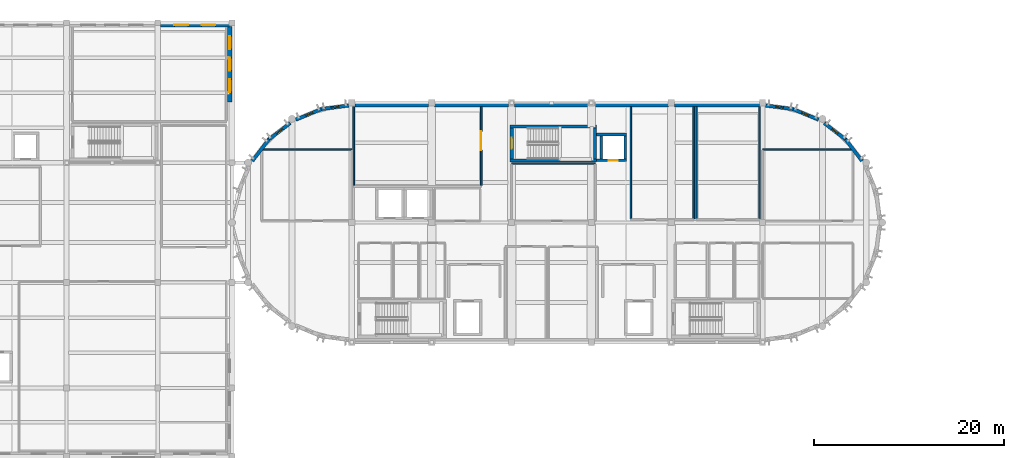
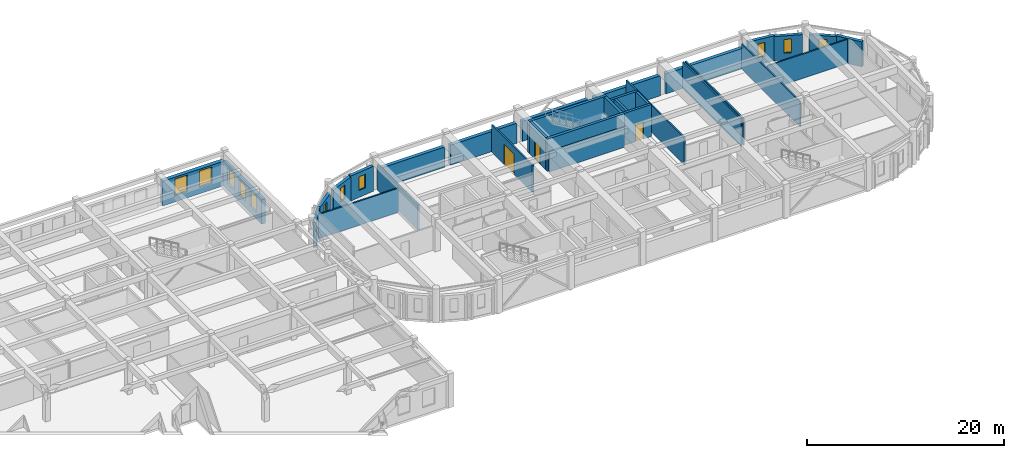
# One storey, part 18 of 31: 32 walls, 11 windows, 3 doors, 14 openings.
"""IFC4 building model written with IfcOpenShell, lengths in metres."""

from ifc_helpers import new_model, si_unit, direction, frame, frame_2d, origin, place, context, subcontext, project, spatial, rectangle, extrude, material, layer, layer_set, type_object, element, fill, save


model = new_model("IFC4")

# Units and contexts
model_context = context("Model", 3, precision=1e-05, world=origin(), true_north=direction((0.0, 1.0)))
body_context = subcontext(model_context, "Body", "Model", "MODEL_VIEW")
ifc_project = project(units=[si_unit("LENGTHUNIT", "METRE"), si_unit("AREAUNIT", "SQUARE_METRE"), si_unit("VOLUMEUNIT", "CUBIC_METRE"), si_unit("PLANEANGLEUNIT", "RADIAN"), si_unit("MASSUNIT", "GRAM", prefix="KILO")], contexts=[model_context])

# Site, building, storey
site_placement = place(None, origin())
site = spatial("IfcSite", under=ifc_project, at=site_placement, CompositionType="ELEMENT")
building_placement = place(site_placement, origin())
building = spatial("IfcBuilding", under=site, at=building_placement, Name="Tarnavel Promenade Courthouse", CompositionType="ELEMENT")
storey_placement = place(building_placement, frame((0.0, 0.0, 18.60009765625)))
storey = spatial("IfcBuildingStorey", under=building, at=storey_placement, Name="L05", CompositionType="ELEMENT", Elevation=18.60009765625)

# Walls
ifc_material_1 = material(Name="Acoustic Insulated Gypsum Stud Partition", Category="gypsum")
ifc_layer_1 = layer(ifc_material_1, 0.1650390625)
ifc_layer_set_1 = layer_set([ifc_layer_1], Name="Acoustic Insulated Gypsum Stud Partition")
wall_type_1 = type_object("IfcWallType", Name="Acoustic Insulated Gypsum Stud Partition WL-CHM-165 (165 mm)", PredefinedType="PARTITIONING", material=ifc_layer_set_1)
wall_1_placement = place(storey_placement, frame((75.60009765625, 98.0, 0.0), z_axis=(0.0, 0.0, 1.0), x_axis=(1.0, 0.0, 0.0)))
element("IfcWall", 1, at=wall_1_placement, inside=storey, type_object=wall_type_1, Name="L05 L05 Judicial Panel Deliberation Salon Partition 0723", PredefinedType="PARTITIONING", context=body_context, shape_type="SweptSolid", body=[
    extrude(rectangle(XDim=8.7998046875, YDim=0.1650390625, at=frame_2d((4.39990234375, 0.0))), origin(), (0.0, 0.0, 1.0), 2.489990234375),
])
wall_2_placement = place(storey_placement, frame((88.139892578125, 92.1826171875, 0.0), z_axis=(0.0, 0.0, 1.0), x_axis=(0.0, 1.0, 0.0)))
element("IfcWall", 2, at=wall_2_placement, inside=storey, type_object=wall_type_1, Name="L05 Judges' Chambers L05 West Partition 0728", PredefinedType="PARTITIONING", context=body_context, shape_type="SweptSolid", body=[
    extrude(rectangle(XDim=11.79833984375, YDim=0.1650390625, at=frame_2d((5.899169921875, 0.0))), origin(), (0.0, 0.0, 1.0), 3.33984375),
])
for number, where, z_axis, x_axis, name in (
    (3, (94.760009765625, 103.98095703125, 0.0), (0.0, 0.0, 1.0), (0.0, -1.0, 0.0), "L05 Judges' Chambers L05 West Partition 0729"),
    (4, (95.0400390625, 92.1826171875, 0.0), (0.0, 0.0, 1.0), (0.0, 1.0, 0.0), "L05 Judges' Chambers L05 East Partition 0731"),
):
    element("IfcWall", number, at=place(storey_placement, frame(where, z_axis=z_axis, x_axis=x_axis)), inside=storey, type_object=wall_type_1, Name=name, PredefinedType="PARTITIONING", context=body_context, shape_type="SweptSolid", body=[
        extrude(rectangle(XDim=11.79833984375, YDim=0.1650390625, at=frame_2d((5.899169921875, 0.0))), origin(), (0.0, 0.0, 1.0), 3.289794921875),
    ])
wall_3_placement = place(storey_placement, frame((101.659912109375, 103.98095703125, 0.0), z_axis=(0.0, 0.0, 1.0), x_axis=(0.0, -1.0, 0.0)))
element("IfcWall", 5, at=wall_3_placement, inside=storey, type_object=wall_type_1, Name="L05 Judges' Chambers L05 East Partition 0732", PredefinedType="PARTITIONING", context=body_context, shape_type="SweptSolid", body=[
    extrude(rectangle(XDim=11.79833984375, YDim=0.1650390625, at=frame_2d((5.899169921875, 0.0))), origin(), (0.0, 0.0, 1.0), 3.08984375),
])
for number, where, z_axis, x_axis, name in (
    (6, (49.300048828125, 99.5, 0.0), (0.0, 0.0, 1.0), (1.0, 0.0, 0.0), "L05 L05 West Drum Rotunda Chambers North Partition 0739"),
    (7, (102.0, 99.5, 0.0), (0.0, 0.0, 1.0), (1.0, 0.0, 0.0), "L05 L05 East Drum Rotunda Jury North Partition 0743"),
):
    element("IfcWall", number, at=place(storey_placement, frame(where, z_axis=z_axis, x_axis=x_axis)), inside=storey, type_object=wall_type_1, Name=name, PredefinedType="PARTITIONING", context=body_context, shape_type="SweptSolid", body=[
        extrude(rectangle(XDim=9.5, YDim=0.1650390625, at=frame_2d((4.75, 0.0))), origin(), (0.0, 0.0, 1.0), 2.989990234375),
    ])
ifc_material_2 = material(Name="Concrete C40/50", Category="concrete")
ifc_layer_2 = layer(ifc_material_2, 0.280029296875)
ifc_layer_set_2 = layer_set([ifc_layer_2], Name="Concrete C40/50")
wall_type_2 = type_object("IfcWallType", Name="Concrete C40/50 WL-SHR-280 (280 mm)", PredefinedType="SHEAR", material=ifc_layer_set_2)
wall_4_placement = place(storey_placement, frame((84.5400390625, 101.06005859375, 0.0), z_axis=(0.0, 0.0, 1.0), x_axis=(1.0, 0.0, 0.0)))
element("IfcWall", 8, at=wall_4_placement, inside=storey, type_object=wall_type_2, Name="L05 L-JUD1 Lift Shaft North Wall", PredefinedType="SHEAR", context=body_context, shape_type="SweptSolid", body=[
    extrude(rectangle(XDim=3.159912109375, YDim=0.280029296875, at=frame_2d((1.580078125, 0.0))), origin(), (0.0, 0.0, 1.0), 3.9599609375),
])

# Wall, opening, door
wall_5_placement = place(storey_placement, frame((87.699951171875, 98.340087890625, 0.0), z_axis=(0.0, 0.0, 1.0), x_axis=(-1.0, 0.0, 0.0)))
wall_5 = element("IfcWall", 9, at=wall_5_placement, inside=storey, type_object=wall_type_2, Name="L05 L-JUD1 Lift Shaft South Wall", PredefinedType="SHEAR", context=body_context, shape_type="SweptSolid", body=[
    extrude(rectangle(XDim=3.159912109375, YDim=0.280029296875, at=frame_2d((1.580078125, 0.0))), origin(), (0.0, 0.0, 1.0), 3.9599609375),
])
opening_1_placement = place(wall_5_placement, frame((0.925048828125, 0.0, 0.0)))
opening_1 = element("IfcOpeningElement", 10, at=opening_1_placement, cuts=wall_5, Name="Opening LD-03", PredefinedType="OPENING", context=body_context, shape_type="SweptSolid", body=[
    extrude(rectangle(XDim=0.949951171875, YDim=2.14990234375, at=frame_2d((0.47509765625, 1.074951171875))), frame((0.0, 0.14990234375, 0.0), z_axis=(0.0, -1.0, 0.0), x_axis=(1.0, 0.0, 0.0)), (0.0, 0.0, 1.0), 0.300048828125),
])
ifc_material_3 = material(Name="Stainless Steel Judicial Lift Landing Sliding Door", Category="steel")
door_type_1 = type_object("IfcDoorType", Name="Stainless Steel Judicial Lift Landing Sliding Door (LD-JUD-0950x2150)", OperationType="NOTDEFINED", PredefinedType="DOOR", material=ifc_material_3)
door_1_placement = place(opening_1_placement, origin())
door_1 = element("IfcDoor", 11, at=door_1_placement, inside=storey, type_object=door_type_1, Name="L05 L-JUD1 Lift Sliding Landing Door", OperationType="DOUBLE_DOOR_SLIDING", OverallHeight=2.14990234375, OverallWidth=0.949951171875, PredefinedType="DOOR", context=body_context, shape_type="SweptSolid", body=[
    extrude(rectangle(XDim=0.949951171875, YDim=2.14990234375, at=frame_2d((0.47509765625, 1.074951171875))), frame((0.0, 0.02490234375, 0.0), z_axis=(0.0, -1.0, 0.0), x_axis=(1.0, 0.0, 0.0)), (0.0, 0.0, 1.0), 0.050048828125),
])
fill(opening_1, door_1)

# Walls
for number, where, z_axis, x_axis, name in (
    (12, (85.0400390625, 98.47998046875, 0.0), (0.0, 0.0, 1.0), (0.0, 1.0, 0.0), "L05 L-JUD1 Lift Shaft West Wall"),
    (13, (87.56005859375, 100.919921875, 0.0), (0.0, 0.0, 1.0), (0.0, -1.0, 0.0), "L05 L-JUD1 Lift Shaft East Wall"),
):
    element("IfcWall", number, at=place(storey_placement, frame(where, z_axis=z_axis, x_axis=x_axis)), inside=storey, type_object=wall_type_2, Name=name, PredefinedType="SHEAR", context=body_context, shape_type="SweptSolid", body=[
        extrude(rectangle(XDim=2.43994140625, YDim=0.280029296875, at=frame_2d((1.219970703125, 0.0))), origin(), (0.0, 0.0, 1.0), 3.9599609375),
    ])
ifc_layer_3 = layer(ifc_material_2, 0.320068359375)
ifc_layer_set_3 = layer_set([ifc_layer_3], Name="Concrete C40/50")
wall_type_3 = type_object("IfcWallType", Name="Concrete C40/50 WL-SHR-320 (320 mm)", PredefinedType="SHEAR", material=ifc_layer_set_3)
for number, where, z_axis, x_axis, name in (
    (14, (75.4599609375, 101.919921875, 0.0), (0.0, 0.0, 1.0), (1.0, 0.0, 0.0), "L05 ST-03 Shear Core North Wall"),
    (15, (84.5400390625, 98.320068359375, 0.0), (0.0, 0.0, 1.0), (-1.0, 0.0, 0.0), "L05 ST-03 Shear Core South Wall"),
):
    element("IfcWall", number, at=place(storey_placement, frame(where, z_axis=z_axis, x_axis=x_axis)), inside=storey, type_object=wall_type_3, Name=name, PredefinedType="SHEAR", context=body_context, shape_type="SweptSolid", body=[
        extrude(rectangle(XDim=9.080078125, YDim=0.320068359375, at=frame_2d((4.5400390625, 0.0))), origin(), (0.0, 0.0, 1.0), 3.9599609375),
    ])

# Wall, opening, door
wall_6_placement = place(storey_placement, frame((75.6201171875, 98.47998046875, 0.0), z_axis=(0.0, 0.0, 1.0), x_axis=(0.0, 1.0, 0.0)))
wall_6 = element("IfcWall", 16, at=wall_6_placement, inside=storey, type_object=wall_type_3, Name="L05 ST-03 Shear Core West Landing Wall", PredefinedType="SHEAR", context=body_context, shape_type="SweptSolid", body=[
    extrude(rectangle(XDim=3.280029296875, YDim=0.320068359375, at=frame_2d((1.64013671875, 0.0))), origin(), (0.0, 0.0, 1.0), 3.9599609375),
])
opening_2_placement = place(wall_6_placement, frame((1.06494140625, 0.0, 0.0)))
opening_2 = element("IfcOpeningElement", 17, at=opening_2_placement, cuts=wall_6, Name="Opening FD-01", PredefinedType="OPENING", context=body_context, shape_type="SweptSolid", body=[
    extrude(rectangle(XDim=1.14990234375, YDim=2.199951171875, at=frame_2d((0.574951171875, 1.10009765625))), frame((0.0, 0.169921875, 0.0), z_axis=(0.0, -1.0, 0.0), x_axis=(1.0, 0.0, 0.0)), (0.0, 0.0, 1.0), 0.340087890625),
])
ifc_material_4 = material(Name="Steel Fire-Rated Stair Core Door", Category="steel")
door_type_2 = type_object("IfcDoorType", Name="Steel Fire-Rated Stair Core Door (DR-ST-1150x2200)", OperationType="NOTDEFINED", PredefinedType="DOOR", material=ifc_material_4)
door_2_placement = place(opening_2_placement, origin())
door_2 = element("IfcDoor", 18, at=door_2_placement, inside=storey, type_object=door_type_2, Name="L05 ST-03 Protected Exit Stair Door", OperationType="SINGLE_SWING_LEFT", OverallHeight=2.199951171875, OverallWidth=1.14990234375, PredefinedType="DOOR", context=body_context, shape_type="SweptSolid", body=[
    extrude(rectangle(XDim=1.14990234375, YDim=2.199951171875, at=frame_2d((0.574951171875, 1.10009765625))), frame((0.0, 0.02490234375, 0.0), z_axis=(0.0, -1.0, 0.0), x_axis=(1.0, 0.0, 0.0)), (0.0, 0.0, 1.0), 0.050048828125),
])
fill(opening_2, door_2)

# Walls
wall_7_placement = place(storey_placement, frame((84.3798828125, 101.760009765625, 0.0), z_axis=(0.0, 0.0, 1.0), x_axis=(0.0, -1.0, 0.0)))
element("IfcWall", 19, at=wall_7_placement, inside=storey, type_object=wall_type_3, Name="L05 ST-03 Shear Core East Wall", PredefinedType="SHEAR", context=body_context, shape_type="SweptSolid", body=[
    extrude(rectangle(XDim=3.280029296875, YDim=0.320068359375, at=frame_2d((1.64013671875, 0.0))), origin(), (0.0, 0.0, 1.0), 3.9599609375),
])
ifc_material_5 = material(Name="Cream Brick Insulated Cavity Facade Assembly", Category="masonry")
ifc_layer_4 = layer(ifc_material_5, 0.409912109375)
ifc_layer_set_4 = layer_set([ifc_layer_4], Name="Cream Brick Insulated Cavity Facade Assembly")
wall_type_4 = type_object("IfcWallType", Name="Cream Brick Insulated Cavity Facade Assembly WL-EXT-410 (410 mm)", PredefinedType="STANDARD", material=ifc_layer_set_4)
wall_8_placement = place(storey_placement, frame((59.116943359375, 104.179931640625, 0.0), z_axis=(0.0, 0.0, 1.0), x_axis=(1.0, 0.0, 0.0)))
element("IfcWall", 20, at=wall_8_placement, inside=storey, type_object=wall_type_4, Name="L05 Bar North Limestone Facade 0106", PredefinedType="STANDARD", context=body_context, shape_type="SweptSolid", body=[
    extrude(rectangle(XDim=7.76611328125, YDim=0.409912109375, at=frame_2d((3.883056640625, 0.0))), origin(), (0.0, 0.0, 1.0), 2.489990234375),
])
wall_9_placement = place(storey_placement, frame((67.51708984375, 104.179931640625, 0.0), z_axis=(0.0, 0.0, 1.0), x_axis=(1.0, 0.0, 0.0)))
element("IfcWall", 21, at=wall_9_placement, inside=storey, type_object=wall_type_4, Name="L05 Bar North Limestone Facade 0107", PredefinedType="STANDARD", context=body_context, shape_type="SweptSolid", body=[
    extrude(rectangle(XDim=7.765869140625, YDim=0.409912109375, at=frame_2d((3.8828125, 0.0))), origin(), (0.0, 0.0, 1.0), 2.489990234375),
])
for number, where, z_axis, x_axis, name in (
    (22, (75.9169921875, 104.179931640625, 0.0), (0.0, 0.0, 1.0), (1.0, 0.0, 0.0), "L05 Bar North Limestone Facade 0108"),
    (23, (84.31689453125, 104.179931640625, 0.0), (0.0, 0.0, 1.0), (1.0, 0.0, 0.0), "L05 Bar North Limestone Facade 0109"),
):
    element("IfcWall", number, at=place(storey_placement, frame(where, z_axis=z_axis, x_axis=x_axis)), inside=storey, type_object=wall_type_4, Name=name, PredefinedType="STANDARD", context=body_context, shape_type="SweptSolid", body=[
        extrude(rectangle(XDim=7.76611328125, YDim=0.409912109375, at=frame_2d((3.883056640625, 0.0))), origin(), (0.0, 0.0, 1.0), 2.489990234375),
    ])
wall_10_placement = place(storey_placement, frame((92.717041015625, 104.179931640625, 0.0), z_axis=(0.0, 0.0, 1.0), x_axis=(1.0, 0.0, 0.0)))
element("IfcWall", 24, at=wall_10_placement, inside=storey, type_object=wall_type_4, Name="L05 Bar North Limestone Facade 0110", PredefinedType="STANDARD", context=body_context, shape_type="SweptSolid", body=[
    extrude(rectangle(XDim=8.966064453125, YDim=0.409912109375, at=frame_2d((4.48291015625, 0.0))), origin(), (0.0, 0.0, 1.0), 2.489990234375),
])
ifc_material_6 = material(Name="Double-Stud Acoustic Courtroom Partition Assembly", Category="gypsum")
ifc_layer_5 = layer(ifc_material_6, 0.18505859375)
ifc_layer_set_5 = layer_set([ifc_layer_5], Name="Double-Stud Acoustic Courtroom Partition Assembly")
wall_type_5 = type_object("IfcWallType", Name="Double-Stud Acoustic Courtroom Partition Assembly WL-CRT-185 (185 mm)", PredefinedType="PARTITIONING", material=ifc_layer_set_5)
wall_11_placement = place(storey_placement, frame((59.0, 95.702392578125, 0.0), z_axis=(0.0, 0.0, 1.0), x_axis=(0.0, 1.0, 0.0)))
element("IfcWall", 25, at=wall_11_placement, inside=storey, type_object=wall_type_5, Name="L05 Appellate Panel Courtroom C Partition 0717", PredefinedType="PARTITIONING", context=body_context, shape_type="SweptSolid", body=[
    extrude(rectangle(XDim=8.278564453125, YDim=0.18505859375, at=frame_2d((4.13916015625, 0.0))), origin(), (0.0, 0.0, 1.0), 3.08984375),
])

# Wall, opening, door
wall_12_placement = place(storey_placement, frame((72.39990234375, 103.98095703125, 0.0), z_axis=(0.0, 0.0, 1.0), x_axis=(0.0, -1.0, 0.0)))
wall_12 = element("IfcWall", 26, at=wall_12_placement, inside=storey, type_object=wall_type_5, Name="L05 Appellate Panel Courtroom C Partition 0718", PredefinedType="PARTITIONING", context=body_context, shape_type="SweptSolid", body=[
    extrude(rectangle(XDim=8.278564453125, YDim=0.18505859375, at=frame_2d((4.13916015625, 0.0))), origin(), (0.0, 0.0, 1.0), 3.33984375),
])
opening_3_placement = place(wall_12_placement, frame((2.581298828125, 0.0, 0.0)))
opening_3 = element("IfcOpeningElement", 27, at=opening_3_placement, cuts=wall_12, Name="Opening ID-01", PredefinedType="OPENING", context=body_context, shape_type="SweptSolid", body=[
    extrude(rectangle(XDim=2.0, YDim=2.5, at=frame_2d((1.0, 1.25))), frame((0.0, 0.1025390625, 0.0), z_axis=(0.0, -1.0, 0.0), x_axis=(1.0, 0.0, 0.0)), (0.0, 0.0, 1.0), 0.205078125),
])
ifc_material_7 = material(Name="Solid Oak Acoustic Courtroom Double Door")
door_type_3 = type_object("IfcDoorType", Name="Solid Oak Acoustic Courtroom Double Door (DR-CRT-2000x2500)", OperationType="NOTDEFINED", PredefinedType="DOOR", material=ifc_material_7)
door_3_placement = place(opening_3_placement, origin())
door_3 = element("IfcDoor", 28, at=door_3_placement, inside=storey, type_object=door_type_3, Name="L05 Appellate Panel Courtroom C Door 0205", OperationType="DOUBLE_DOOR_SINGLE_SWING", OverallHeight=2.5, OverallWidth=2.0, PredefinedType="DOOR", context=body_context, shape_type="SweptSolid", body=[
    extrude(rectangle(XDim=2.0, YDim=2.5, at=frame_2d((1.0, 1.25))), frame((0.0, 0.02490234375, 0.0), z_axis=(0.0, -1.0, 0.0), x_axis=(1.0, 0.0, 0.0)), (0.0, 0.0, 1.0), 0.050048828125),
])
fill(opening_3, door_3)

# Wall, openings, windows
ifc_material_8 = material(Name="Limestone Ashlar Faced Insulated Brick Masonry", Category="masonry")
ifc_layer_6 = layer(ifc_material_8, 0.43994140625)
ifc_layer_set_6 = layer_set([ifc_layer_6], Name="Limestone Ashlar Faced Insulated Brick Masonry")
wall_type_6 = type_object("IfcWallType", Name="Limestone Ashlar Faced Insulated Brick Masonry WL-EXT-440 (440 mm)", PredefinedType="STANDARD", material=ifc_layer_set_6)
wall_13_placement = place(storey_placement, frame((38.68701171875, 112.56005859375, 0.0), z_axis=(0.0, 0.0, 1.0), x_axis=(1.0, 0.0, 0.0)))
wall_13 = element("IfcWall", 29, at=wall_13_placement, inside=storey, type_object=wall_type_6, Name="L05 Trial Wing North Ashlar Facade 0317", PredefinedType="STANDARD", context=body_context, shape_type="SweptSolid", body=[
    extrude(rectangle(XDim=7.22607421875, YDim=0.43994140625, at=frame_2d((3.613037109375, 0.0))), origin(), (0.0, 0.0, 1.0), 3.039794921875),
])
opening_4_placement = place(wall_13_placement, frame((1.452880859375, 0.0, 0.77001953125)))
opening_4 = element("IfcOpeningElement", 30, at=opening_4_placement, cuts=wall_13, Name="Opening W-03", PredefinedType="OPENING", context=body_context, shape_type="SweptSolid", body=[
    extrude(rectangle(XDim=1.449951171875, YDim=2.050048828125, at=frame_2d((0.72509765625, 1.02490234375))), frame((0.0, 0.22998046875, 0.0), z_axis=(0.0, -1.0, 0.0), x_axis=(1.0, 0.0, 0.0)), (0.0, 0.0, 1.0), 0.4599609375),
])
opening_5_placement = place(wall_13_placement, frame((4.322998046875, 0.0, 0.77001953125)))
opening_5 = element("IfcOpeningElement", 31, at=opening_5_placement, cuts=wall_13, Name="Opening W-03", PredefinedType="OPENING", context=body_context, shape_type="SweptSolid", body=[
    extrude(rectangle(XDim=1.449951171875, YDim=2.050048828125, at=frame_2d((0.72509765625, 1.02490234375))), frame((0.0, 0.22998046875, 0.0), z_axis=(0.0, -1.0, 0.0), x_axis=(1.0, 0.0, 0.0)), (0.0, 0.0, 1.0), 0.4599609375),
])
ifc_material_9 = material(Name="Triple Low-E Glazed Bronze-Clad Window Assembly")
window_type_1 = type_object("IfcWindowType", Name="Triple-Glazed Bronze-Clad Timber-Aluminium WIN-APP-1450x2050", PartitioningType="SINGLE_PANEL", PredefinedType="WINDOW", material=ifc_material_9)
window_1_placement = place(opening_4_placement, origin())
window_1 = element("IfcWindow", 32, at=window_1_placement, inside=storey, type_object=window_type_1, Name="L05 Exterior Window 0341", OverallHeight=2.050048828125, OverallWidth=1.449951171875, PartitioningType="SINGLE_PANEL", PredefinedType="WINDOW", context=body_context, shape_type="SweptSolid", body=[
    extrude(rectangle(XDim=1.449951171875, YDim=2.050048828125, at=frame_2d((0.72509765625, 1.02490234375))), frame((0.0, 0.030029296875, 0.0), z_axis=(0.0, -1.0, 0.0), x_axis=(1.0, 0.0, 0.0)), (0.0, 0.0, 1.0), 0.06005859375),
])
fill(opening_4, window_1)
window_2_placement = place(opening_5_placement, origin())
window_2 = element("IfcWindow", 33, at=window_2_placement, inside=storey, type_object=window_type_1, Name="L05 Exterior Window 0342", OverallHeight=2.050048828125, OverallWidth=1.449951171875, PartitioningType="SINGLE_PANEL", PredefinedType="WINDOW", context=body_context, shape_type="SweptSolid", body=[
    extrude(rectangle(XDim=1.449951171875, YDim=2.050048828125, at=frame_2d((0.72509765625, 1.02490234375))), frame((0.0, 0.030029296875, 0.0), z_axis=(0.0, -1.0, 0.0), x_axis=(1.0, 0.0, 0.0)), (0.0, 0.0, 1.0), 0.06005859375),
])
fill(opening_5, window_2)

wall_14_placement = place(storey_placement, frame((45.9599609375, 104.5, 0.0), z_axis=(0.0, 0.0, 1.0), x_axis=(0.0, 1.0, 0.0)))
wall_14 = element("IfcWall", 34, at=wall_14_placement, inside=storey, type_object=wall_type_6, Name="L05 L05 Trial Wing North-East Stepback Wall 0448", PredefinedType="STANDARD", context=body_context, shape_type="SweptSolid", body=[
    extrude(rectangle(XDim=7.89990234375, YDim=0.43994140625, at=frame_2d((3.949951171875, 0.0))), origin(), (0.0, 0.0, 1.0), 3.039794921875),
])
opening_6_placement = place(wall_14_placement, frame((1.00830078125, 0.0, 0.85009765625)))
opening_6 = element("IfcOpeningElement", 35, at=opening_6_placement, cuts=wall_14, Name="Opening W-04", PredefinedType="OPENING", context=body_context, shape_type="SweptSolid", body=[
    extrude(rectangle(XDim=1.35009765625, YDim=1.949951171875, at=frame_2d((0.675048828125, 0.97509765625))), frame((0.0, 0.22998046875, 0.0), z_axis=(0.0, -1.0, 0.0), x_axis=(1.0, 0.0, 0.0)), (0.0, 0.0, 1.0), 0.4599609375),
])
opening_7_placement = place(wall_14_placement, frame((3.27490234375, 0.0, 0.85009765625)))
opening_7 = element("IfcOpeningElement", 36, at=opening_7_placement, cuts=wall_14, Name="Opening W-04", PredefinedType="OPENING", context=body_context, shape_type="SweptSolid", body=[
    extrude(rectangle(XDim=1.35009765625, YDim=1.949951171875, at=frame_2d((0.675048828125, 0.97509765625))), frame((0.0, 0.22998046875, 0.0), z_axis=(0.0, -1.0, 0.0), x_axis=(1.0, 0.0, 0.0)), (0.0, 0.0, 1.0), 0.4599609375),
])
opening_8_placement = place(wall_14_placement, frame((5.541748046875, 0.0, 0.85009765625)))
opening_8 = element("IfcOpeningElement", 37, at=opening_8_placement, cuts=wall_14, Name="Opening W-04", PredefinedType="OPENING", context=body_context, shape_type="SweptSolid", body=[
    extrude(rectangle(XDim=1.35009765625, YDim=1.949951171875, at=frame_2d((0.675048828125, 0.97509765625))), frame((0.0, 0.22998046875, 0.0), z_axis=(0.0, -1.0, 0.0), x_axis=(1.0, 0.0, 0.0)), (0.0, 0.0, 1.0), 0.4599609375),
])
window_type_2 = type_object("IfcWindowType", Name="Triple-Glazed Bronze-Clad Timber-Aluminium WIN-CHM-1350x1950", PartitioningType="SINGLE_PANEL", PredefinedType="WINDOW", material=ifc_material_9)
window_3_placement = place(opening_6_placement, origin())
window_3 = element("IfcWindow", 38, at=window_3_placement, inside=storey, type_object=window_type_2, Name="L05 Exterior Window 0572", OverallHeight=1.949951171875, OverallWidth=1.35009765625, PartitioningType="SINGLE_PANEL", PredefinedType="WINDOW", context=body_context, shape_type="SweptSolid", body=[
    extrude(rectangle(XDim=1.35009765625, YDim=1.949951171875, at=frame_2d((0.675048828125, 0.97509765625))), frame((0.0, 0.030029296875, 0.0), z_axis=(0.0, -1.0, 0.0), x_axis=(1.0, 0.0, 0.0)), (0.0, 0.0, 1.0), 0.06005859375),
])
fill(opening_6, window_3)
window_4_placement = place(opening_7_placement, origin())
window_4 = element("IfcWindow", 39, at=window_4_placement, inside=storey, type_object=window_type_2, Name="L05 Exterior Window 0573", OverallHeight=1.949951171875, OverallWidth=1.35009765625, PartitioningType="SINGLE_PANEL", PredefinedType="WINDOW", context=body_context, shape_type="SweptSolid", body=[
    extrude(rectangle(XDim=1.35009765625, YDim=1.949951171875, at=frame_2d((0.675048828125, 0.97509765625))), frame((0.0, 0.030029296875, 0.0), z_axis=(0.0, -1.0, 0.0), x_axis=(1.0, 0.0, 0.0)), (0.0, 0.0, 1.0), 0.06005859375),
])
fill(opening_7, window_4)
window_5_placement = place(opening_8_placement, origin())
window_5 = element("IfcWindow", 40, at=window_5_placement, inside=storey, type_object=window_type_2, Name="L05 Exterior Window 0574", OverallHeight=1.949951171875, OverallWidth=1.35009765625, PartitioningType="SINGLE_PANEL", PredefinedType="WINDOW", context=body_context, shape_type="SweptSolid", body=[
    extrude(rectangle(XDim=1.35009765625, YDim=1.949951171875, at=frame_2d((0.675048828125, 0.97509765625))), frame((0.0, 0.030029296875, 0.0), z_axis=(0.0, -1.0, 0.0), x_axis=(1.0, 0.0, 0.0)), (0.0, 0.0, 1.0), 0.06005859375),
])
fill(opening_8, window_5)

# Wall, opening, window
ifc_material_10 = material(Name="Patinated Copper-Bronze Insulated Drum Wall Assembly", Category="masonry")
ifc_layer_7 = layer(ifc_material_10, 0.364990234375)
ifc_layer_set_7 = layer_set([ifc_layer_7], Name="Patinated Copper-Bronze Insulated Drum Wall Assembly")
wall_type_7 = type_object("IfcWallType", Name="Patinated Copper-Bronze Insulated Drum Wall Assembly WL-DRUM-365 (365 mm)", PredefinedType="ELEMENTEDWALL", material=ifc_layer_set_7)
wall_15_placement = place(storey_placement, frame((58.470703125, 104.1044921875, 0.0), z_axis=(0.0, 0.0, 1.0), x_axis=(-0.99144889538, -0.13049554724, 0.0)))
wall_15 = element("IfcWall", 41, at=wall_15_placement, inside=storey, type_object=wall_type_7, Name="L05 W Copper Drum Chord Wall 01 0116", PredefinedType="ELEMENTEDWALL", context=body_context, shape_type="SweptSolid", body=[
    extrude(rectangle(XDim=2.924072265625, YDim=0.364990234375, at=frame_2d((1.4619140625, 0.0))), origin(), (0.0, 0.0, 1.0), 3.08984375),
])
opening_9_placement = place(wall_15_placement, frame((1.06201171875, 0.0, 0.85009765625)))
opening_9 = element("IfcOpeningElement", 42, at=opening_9_placement, cuts=wall_15, Name="Opening W-09", PredefinedType="OPENING", context=body_context, shape_type="SweptSolid", body=[
    extrude(rectangle(XDim=0.800048828125, YDim=1.699951171875, at=frame_2d((0.39990234375, 0.85009765625))), frame((0.0, 0.1923828125, 0.0), z_axis=(0.0, -1.0, 0.0), x_axis=(1.0, 0.0, 0.0)), (0.0, 0.0, 1.0), 0.385009765625),
])
window_type_3 = type_object("IfcWindowType", Name="Triple-Glazed Bronze-Clad Timber-Aluminium WIN-DRM-0800x1700", PartitioningType="SINGLE_PANEL", PredefinedType="WINDOW", material=ifc_material_9)
window_6_placement = place(opening_9_placement, origin())
window_6 = element("IfcWindow", 43, at=window_6_placement, inside=storey, type_object=window_type_3, Name="L05 Exterior Window 0082", OverallHeight=1.699951171875, OverallWidth=0.800048828125, PartitioningType="SINGLE_PANEL", PredefinedType="WINDOW", context=body_context, shape_type="SweptSolid", body=[
    extrude(rectangle(XDim=0.800048828125, YDim=1.699951171875, at=frame_2d((0.39990234375, 0.85009765625))), frame((0.0, 0.030029296875, 0.0), z_axis=(0.0, -1.0, 0.0), x_axis=(1.0, 0.0, 0.0)), (0.0, 0.0, 1.0), 0.06005859375),
])
fill(opening_9, window_6)

wall_16_placement = place(storey_placement, frame((55.634521484375, 103.73974609375, 0.0), z_axis=(0.0, 0.0, 1.0), x_axis=(-0.923867659443, -0.382712095229, 0.0)))
wall_16 = element("IfcWall", 44, at=wall_16_placement, inside=storey, type_object=wall_type_7, Name="L05 W Copper Drum Chord Wall 02 0117", PredefinedType="ELEMENTEDWALL", context=body_context, shape_type="SweptSolid", body=[
    extrude(rectangle(XDim=2.952392578125, YDim=0.364990234375, at=frame_2d((1.47607421875, 0.0))), origin(), (0.0, 0.0, 1.0), 2.989990234375),
])
opening_10_placement = place(wall_16_placement, frame((1.037109375, 0.0, 0.85009765625)))
opening_10 = element("IfcOpeningElement", 45, at=opening_10_placement, cuts=wall_16, Name="Opening W-09", PredefinedType="OPENING", context=body_context, shape_type="SweptSolid", body=[
    extrude(rectangle(XDim=0.800048828125, YDim=1.699951171875, at=frame_2d((0.39990234375, 0.85009765625))), frame((0.0, 0.1923828125, 0.0), z_axis=(0.0, -1.0, 0.0), x_axis=(1.0, 0.0, 0.0)), (0.0, 0.0, 1.0), 0.385009765625),
])
window_7_placement = place(opening_10_placement, origin())
window_7 = element("IfcWindow", 46, at=window_7_placement, inside=storey, type_object=window_type_3, Name="L05 Exterior Window 0083", OverallHeight=1.699951171875, OverallWidth=0.800048828125, PartitioningType="SINGLE_PANEL", PredefinedType="WINDOW", context=body_context, shape_type="SweptSolid", body=[
    extrude(rectangle(XDim=0.800048828125, YDim=1.699951171875, at=frame_2d((0.39990234375, 0.85009765625))), frame((0.0, 0.030029296875, 0.0), z_axis=(0.0, -1.0, 0.0), x_axis=(1.0, 0.0, 0.0)), (0.0, 0.0, 1.0), 0.06005859375),
])
fill(opening_10, window_7)

wall_17_placement = place(storey_placement, frame((52.322998046875, 102.260986328125, 0.0), z_axis=(0.0, 0.0, 1.0), x_axis=(-0.793346533164, -0.608770300127, 0.0)))
wall_17 = element("IfcWall", 47, at=wall_17_placement, inside=storey, type_object=wall_type_7, Name="L05 W Copper Drum Chord Wall 03 0118", PredefinedType="ELEMENTEDWALL", context=body_context, shape_type="SweptSolid", body=[
    extrude(rectangle(XDim=2.874267578125, YDim=0.364990234375, at=frame_2d((1.43701171875, 0.0))), origin(), (0.0, 0.0, 1.0), 2.989990234375),
])
opening_11_placement = place(wall_17_placement, frame((1.037109375, 0.0, 0.85009765625)))
opening_11 = element("IfcOpeningElement", 48, at=opening_11_placement, cuts=wall_17, Name="Opening W-09", PredefinedType="OPENING", context=body_context, shape_type="SweptSolid", body=[
    extrude(rectangle(XDim=0.800048828125, YDim=1.699951171875, at=frame_2d((0.39990234375, 0.85009765625))), frame((0.0, 0.1923828125, 0.0), z_axis=(0.0, -1.0, 0.0), x_axis=(1.0, 0.0, 0.0)), (0.0, 0.0, 1.0), 0.385009765625),
])
window_8_placement = place(opening_11_placement, origin())
window_8 = element("IfcWindow", 49, at=window_8_placement, inside=storey, type_object=window_type_3, Name="L05 Exterior Window 0084", OverallHeight=1.699951171875, OverallWidth=0.800048828125, PartitioningType="SINGLE_PANEL", PredefinedType="WINDOW", context=body_context, shape_type="SweptSolid", body=[
    extrude(rectangle(XDim=0.800048828125, YDim=1.699951171875, at=frame_2d((0.39990234375, 0.85009765625))), frame((0.0, 0.030029296875, 0.0), z_axis=(0.0, -1.0, 0.0), x_axis=(1.0, 0.0, 0.0)), (0.0, 0.0, 1.0), 0.06005859375),
])
fill(opening_11, window_8)

# Walls
for number, where, z_axis, x_axis, name in (
    (50, (50.0888671875, 100.557373046875, 0.0), (0.0, 0.0, 1.0), (-0.608770300127, -0.793346533164, 0.0), "L05 W Copper Drum Chord Wall 04 0119"),
    (51, (112.4609375, 98.277099609375, 0.0), (0.0, 0.0, 1.0), (-0.608770300127, 0.793346533164, 0.0), "L05 E Copper Drum Chord Wall 09 0134"),
):
    element("IfcWall", number, at=place(storey_placement, frame(where, z_axis=z_axis, x_axis=x_axis)), inside=storey, type_object=wall_type_7, Name=name, PredefinedType="ELEMENTEDWALL", context=body_context, shape_type="SweptSolid", body=[
        extrude(rectangle(XDim=2.874267578125, YDim=0.364990234375, at=frame_2d((1.43701171875, 0.0))), origin(), (0.0, 0.0, 1.0), 3.08984375),
    ])

# Wall, opening, window
wall_18_placement = place(storey_placement, frame((110.75732421875, 100.51123046875, 0.0), z_axis=(0.0, 0.0, 1.0), x_axis=(-0.793346533164, 0.608770300127, 0.0)))
wall_18 = element("IfcWall", 52, at=wall_18_placement, inside=storey, type_object=wall_type_7, Name="L05 E Copper Drum Chord Wall 10 0135", PredefinedType="ELEMENTEDWALL", context=body_context, shape_type="SweptSolid", body=[
    extrude(rectangle(XDim=2.874267578125, YDim=0.364990234375, at=frame_2d((1.43701171875, 0.0))), origin(), (0.0, 0.0, 1.0), 2.989990234375),
])
opening_12_placement = place(wall_18_placement, frame((1.037109375, 0.0, 0.85009765625)))
opening_12 = element("IfcOpeningElement", 53, at=opening_12_placement, cuts=wall_18, Name="Opening W-09", PredefinedType="OPENING", context=body_context, shape_type="SweptSolid", body=[
    extrude(rectangle(XDim=0.800048828125, YDim=1.699951171875, at=frame_2d((0.39990234375, 0.85009765625))), frame((0.0, 0.1923828125, 0.0), z_axis=(0.0, -1.0, 0.0), x_axis=(1.0, 0.0, 0.0)), (0.0, 0.0, 1.0), 0.385009765625),
])
window_9_placement = place(opening_12_placement, origin())
window_9 = element("IfcWindow", 54, at=window_9_placement, inside=storey, type_object=window_type_3, Name="L05 Exterior Window 0096", OverallHeight=1.699951171875, OverallWidth=0.800048828125, PartitioningType="SINGLE_PANEL", PredefinedType="WINDOW", context=body_context, shape_type="SweptSolid", body=[
    extrude(rectangle(XDim=0.800048828125, YDim=1.699951171875, at=frame_2d((0.39990234375, 0.85009765625))), frame((0.0, 0.030029296875, 0.0), z_axis=(0.0, -1.0, 0.0), x_axis=(1.0, 0.0, 0.0)), (0.0, 0.0, 1.0), 0.06005859375),
])
fill(opening_12, window_9)

wall_19_placement = place(storey_placement, frame((107.89306640625, 102.60986328125, 0.0), z_axis=(0.0, 0.0, 1.0), x_axis=(-0.923867659443, 0.382712095229, 0.0)))
wall_19 = element("IfcWall", 55, at=wall_19_placement, inside=storey, type_object=wall_type_7, Name="L05 E Copper Drum Chord Wall 11 0136", PredefinedType="ELEMENTEDWALL", context=body_context, shape_type="SweptSolid", body=[
    extrude(rectangle(XDim=2.952392578125, YDim=0.364990234375, at=frame_2d((1.47607421875, 0.0))), origin(), (0.0, 0.0, 1.0), 2.989990234375),
])
opening_13_placement = place(wall_19_placement, frame((1.114990234375, 0.0, 0.85009765625)))
opening_13 = element("IfcOpeningElement", 56, at=opening_13_placement, cuts=wall_19, Name="Opening W-09", PredefinedType="OPENING", context=body_context, shape_type="SweptSolid", body=[
    extrude(rectangle(XDim=0.800048828125, YDim=1.699951171875, at=frame_2d((0.39990234375, 0.85009765625))), frame((0.0, 0.1923828125, 0.0), z_axis=(0.0, -1.0, 0.0), x_axis=(1.0, 0.0, 0.0)), (0.0, 0.0, 1.0), 0.385009765625),
])
window_10_placement = place(opening_13_placement, origin())
window_10 = element("IfcWindow", 57, at=window_10_placement, inside=storey, type_object=window_type_3, Name="L05 Exterior Window 0097", OverallHeight=1.699951171875, OverallWidth=0.800048828125, PartitioningType="SINGLE_PANEL", PredefinedType="WINDOW", context=body_context, shape_type="SweptSolid", body=[
    extrude(rectangle(XDim=0.800048828125, YDim=1.699951171875, at=frame_2d((0.39990234375, 0.85009765625))), frame((0.0, 0.030029296875, 0.0), z_axis=(0.0, -1.0, 0.0), x_axis=(1.0, 0.0, 0.0)), (0.0, 0.0, 1.0), 0.06005859375),
])
fill(opening_13, window_10)

wall_20_placement = place(storey_placement, frame((105.228515625, 103.722900390625, 0.0), z_axis=(0.0, 0.0, 1.0), x_axis=(-0.99144889538, 0.13049554724, 0.0)))
wall_20 = element("IfcWall", 58, at=wall_20_placement, inside=storey, type_object=wall_type_7, Name="L05 E Copper Drum Chord Wall 12 0137", PredefinedType="ELEMENTEDWALL", context=body_context, shape_type="SweptSolid", body=[
    extrude(rectangle(XDim=2.924072265625, YDim=0.364990234375, at=frame_2d((1.4619140625, 0.0))), origin(), (0.0, 0.0, 1.0), 3.08984375),
])
opening_14_placement = place(wall_20_placement, frame((1.06201171875, 0.0, 0.85009765625)))
opening_14 = element("IfcOpeningElement", 59, at=opening_14_placement, cuts=wall_20, Name="Opening W-09", PredefinedType="OPENING", context=body_context, shape_type="SweptSolid", body=[
    extrude(rectangle(XDim=0.800048828125, YDim=1.699951171875, at=frame_2d((0.39990234375, 0.85009765625))), frame((0.0, 0.1923828125, 0.0), z_axis=(0.0, -1.0, 0.0), x_axis=(1.0, 0.0, 0.0)), (0.0, 0.0, 1.0), 0.385009765625),
])
window_11_placement = place(opening_14_placement, origin())
window_11 = element("IfcWindow", 60, at=window_11_placement, inside=storey, type_object=window_type_3, Name="L05 Exterior Window 0098", OverallHeight=1.699951171875, OverallWidth=0.800048828125, PartitioningType="SINGLE_PANEL", PredefinedType="WINDOW", context=body_context, shape_type="SweptSolid", body=[
    extrude(rectangle(XDim=0.800048828125, YDim=1.699951171875, at=frame_2d((0.39990234375, 0.85009765625))), frame((0.0, 0.030029296875, 0.0), z_axis=(0.0, -1.0, 0.0), x_axis=(1.0, 0.0, 0.0)), (0.0, 0.0, 1.0), 0.06005859375),
])
fill(opening_14, window_11)

save(model, "model.ifc")
